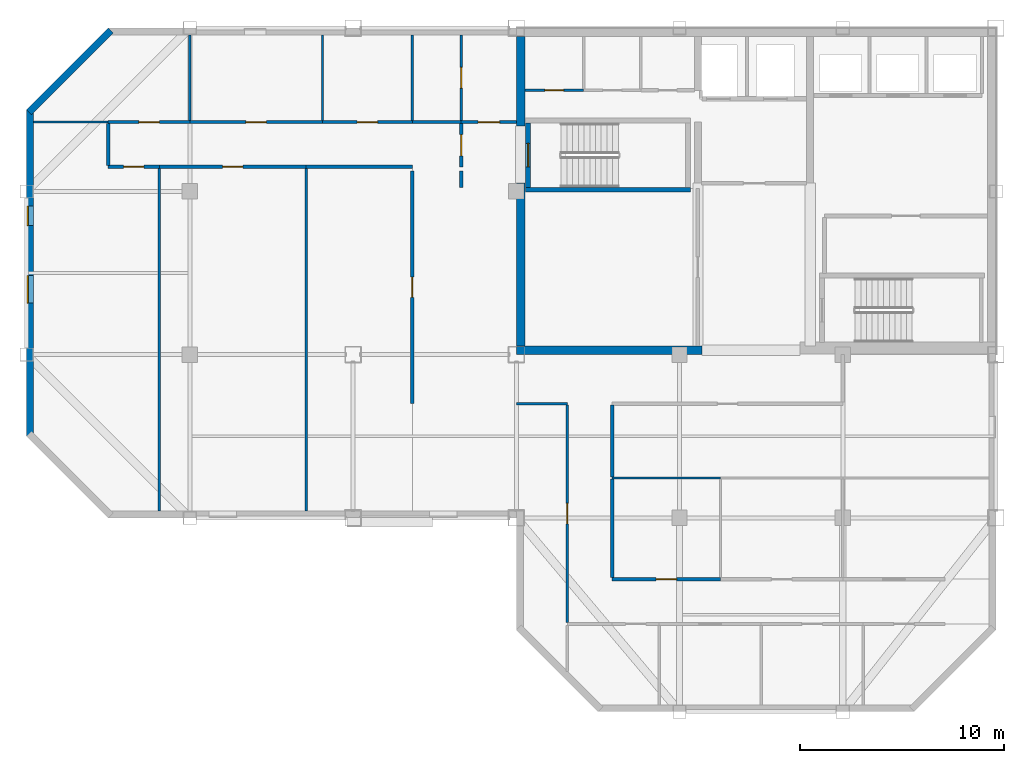
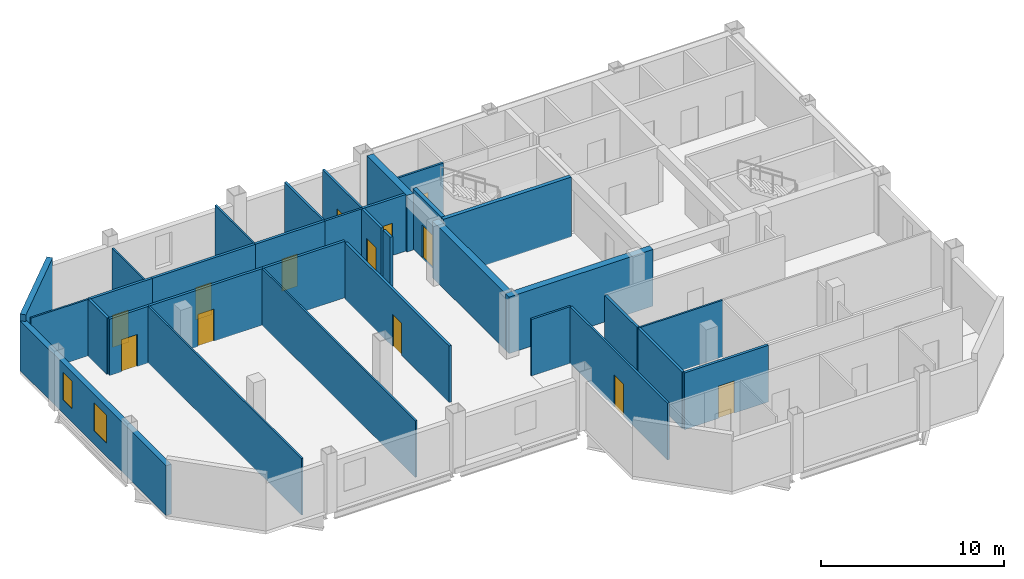
# One storey, part 2 of 7: 33 walls, 13 doors, 2 windows, 15 openings.
"""IFC4 building model written with IfcOpenShell, lengths in metres."""

from ifc_helpers import new_model, si_unit, direction, frame, frame_2d, origin, place, context, subcontext, project, spatial, rectangle, extrude, material, layer, layer_set, type_object, element, fill, save


model = new_model("IFC4")

# Units and contexts
model_context = context("Model", 3, precision=1e-05, world=origin(), true_north=direction((0.0, 1.0)))
body_context = subcontext(model_context, "Body", "Model", "MODEL_VIEW")
ifc_project = project(units=[si_unit("LENGTHUNIT", "METRE"), si_unit("AREAUNIT", "SQUARE_METRE"), si_unit("VOLUMEUNIT", "CUBIC_METRE"), si_unit("PLANEANGLEUNIT", "RADIAN"), si_unit("MASSUNIT", "GRAM", prefix="KILO")], contexts=[model_context])

# Site, building, storey
site_placement = place(None, origin())
site = spatial("IfcSite", under=ifc_project, at=site_placement, CompositionType="ELEMENT")
building_placement = place(site_placement, origin())
building = spatial("IfcBuilding", under=site, at=building_placement, Name="Qianrong Seaharbour Tower", CompositionType="ELEMENT")
storey_placement = place(building_placement, frame((0.0, 0.0, 351.199951171875)))
storey = spatial("IfcBuildingStorey", under=building, at=storey_placement, Name="L85", CompositionType="ELEMENT", Elevation=351.199951171875)

# Walls
ifc_material_1 = material(Name="Concrete C50/60", Category="concrete")
ifc_layer_1 = layer(ifc_material_1, 0.419921875)
ifc_layer_set_1 = layer_set([ifc_layer_1], Name="Concrete C50/60")
wall_type_1 = type_object("IfcWallType", Name="WALL-CORE-420", PredefinedType="SHEAR", material=ifc_layer_set_1)
wall_1_placement = place(storey_placement, frame((40.7099609375, 36.419921875, 0.0), z_axis=(0.0, 0.0, 1.0), x_axis=(0.0, 1.0, 0.0)))
element("IfcWall", 1, at=wall_1_placement, inside=storey, type_object=wall_type_1, Name="L85 West Core Shear Wall South", PredefinedType="SHEAR", context=body_context, shape_type="SweptSolid", body=[
    extrude(rectangle(XDim=7.97998046875, YDim=0.419921875, at=frame_2d((3.989990234375, 0.0))), origin(), (0.0, 0.0, 1.0), 3.78515625),
])
wall_2_placement = place(storey_placement, frame((40.7099609375, 47.199951171875, 0.0), z_axis=(0.0, 0.0, 1.0), x_axis=(0.0, 1.0, 0.0)))
element("IfcWall", 2, at=wall_2_placement, inside=storey, type_object=wall_type_1, Name="L85 West Core Shear Wall North", PredefinedType="SHEAR", context=body_context, shape_type="SweptSolid", body=[
    extrude(rectangle(XDim=4.380126953125, YDim=0.419921875, at=frame_2d((2.18994140625, 0.0))), origin(), (0.0, 0.0, 1.0), 3.78515625),
])
wall_3_placement = place(storey_placement, frame((40.5, 36.2099609375, 0.0), z_axis=(0.0, 0.0, 1.0), x_axis=(1.0, 0.0, 0.0)))
element("IfcWall", 3, at=wall_3_placement, inside=storey, type_object=wall_type_1, Name="L85 South Core Shear Wall S1", PredefinedType="SHEAR", context=body_context, shape_type="SweptSolid", body=[
    extrude(rectangle(XDim=9.10009765625, YDim=0.419921875, at=frame_2d((4.550048828125, 0.0))), origin(), (0.0, 0.0, 1.0), 3.78515625),
])

# Wall, opening, door
ifc_material_2 = material(Name="Fire-rated acoustic gypsum board partition")
ifc_layer_2 = layer(ifc_material_2, 0.1650390625)
ifc_layer_set_2 = layer_set([ifc_layer_2], Name="Fire-rated acoustic gypsum board partition")
wall_type_2 = type_object("IfcWallType", Name="WALL-CORR-PART-165", PredefinedType="PARTITIONING", material=ifc_layer_set_2)
wall_4_placement = place(storey_placement, frame((37.800048828125, 47.39990234375, 0.0), z_axis=(0.0, 0.0, 1.0), x_axis=(1.0, 0.0, 0.0)))
wall_4 = element("IfcWall", 4, at=wall_4_placement, inside=storey, type_object=wall_type_2, Name="L85 Interior Partition Wall 001", PredefinedType="PARTITIONING", context=body_context, shape_type="SweptSolid", body=[
    extrude(rectangle(XDim=2.699951171875, YDim=0.1650390625, at=frame_2d((1.35009765625, 0.0))), origin(), (0.0, 0.0, 1.0), 3.78515625),
])
opening_1_placement = place(wall_4_placement, frame((0.824951171875, 0.0, 0.0)))
opening_1 = element("IfcOpeningElement", 5, at=opening_1_placement, cuts=wall_4, Name="Opening DC-01", PredefinedType="OPENING", context=body_context, shape_type="SweptSolid", body=[
    extrude(rectangle(XDim=1.050048828125, YDim=2.14990234375, at=frame_2d((0.52490234375, 1.074951171875))), frame((0.0, 0.092529296875, 0.0), z_axis=(0.0, -1.0, 0.0), x_axis=(1.0, 0.0, 0.0)), (0.0, 0.0, 1.0), 0.18505859375),
])
ifc_material_3 = material(Name="Acoustic timber and galvanized steel fire door assembly", Category="steel")
door_type_1 = type_object("IfcDoorType", Name="DOOR-CORR-FD60-1050x2150", OperationType="NOTDEFINED", PredefinedType="DOOR", material=ifc_material_3)
door_1_placement = place(opening_1_placement, origin())
door_1 = element("IfcDoor", 6, at=door_1_placement, inside=storey, type_object=door_type_1, Name="L85 Smokeproof Stair Vestibule ST-1 Door", OperationType="SINGLE_SWING_LEFT", OverallHeight=2.14990234375, OverallWidth=1.050048828125, PredefinedType="DOOR", context=body_context, shape_type="SweptSolid", body=[
    extrude(rectangle(XDim=1.050048828125, YDim=2.14990234375, at=frame_2d((0.52490234375, 1.074951171875))), frame((0.0, 0.02490234375, 0.0), z_axis=(0.0, -1.0, 0.0), x_axis=(1.0, 0.0, 0.0)), (0.0, 0.0, 1.0), 0.050048828125),
])
fill(opening_1, door_1)

wall_5_placement = place(storey_placement, frame((37.800048828125, 45.199951171875, 0.0), z_axis=(0.0, 0.0, 1.0), x_axis=(0.0, 1.0, 0.0)))
wall_5 = element("IfcWall", 7, at=wall_5_placement, inside=storey, type_object=wall_type_2, Name="L85 Interior Partition Wall 002", PredefinedType="PARTITIONING", context=body_context, shape_type="SweptSolid", body=[
    extrude(rectangle(XDim=2.12548828125, YDim=0.1650390625, at=frame_2d((1.062744140625, 0.0))), origin(), (0.0, 0.0, 1.0), 3.78515625),
])
opening_2_placement = place(wall_5_placement, frame((0.537841796875, 0.0, 0.0)))
opening_2 = element("IfcOpeningElement", 8, at=opening_2_placement, cuts=wall_5, Name="Opening DC-01", PredefinedType="OPENING", context=body_context, shape_type="SweptSolid", body=[
    extrude(rectangle(XDim=1.050048828125, YDim=2.14990234375, at=frame_2d((0.52490234375, 1.074951171875))), frame((0.0, 0.092529296875, 0.0), z_axis=(0.0, -1.0, 0.0), x_axis=(1.0, 0.0, 0.0)), (0.0, 0.0, 1.0), 0.18505859375),
])
door_2_placement = place(opening_2_placement, origin())
door_2 = element("IfcDoor", 9, at=door_2_placement, inside=storey, type_object=door_type_1, Name="L85 Smokeproof Stair Vestibule ST-1 Door", OperationType="SINGLE_SWING_RIGHT", OverallHeight=2.14990234375, OverallWidth=1.050048828125, PredefinedType="DOOR", context=body_context, shape_type="SweptSolid", body=[
    extrude(rectangle(XDim=1.050048828125, YDim=2.14990234375, at=frame_2d((0.52490234375, 1.074951171875))), frame((0.0, 0.02490234375, 0.0), z_axis=(0.0, -1.0, 0.0), x_axis=(1.0, 0.0, 0.0)), (0.0, 0.0, 1.0), 0.050048828125),
])
fill(opening_2, door_2)

# Wall
wall_6_placement = place(storey_placement, frame((37.800048828125, 44.199951171875, 0.0), z_axis=(0.0, 0.0, 1.0), x_axis=(0.0, 1.0, 0.0)))
element("IfcWall", 10, at=wall_6_placement, inside=storey, type_object=wall_type_2, Name="L85 Interior Partition Wall 003", PredefinedType="PARTITIONING", context=body_context, shape_type="SweptSolid", body=[
    extrude(rectangle(XDim=0.800048828125, YDim=0.1650390625, at=frame_2d((0.39990234375, 0.0))), origin(), (0.0, 0.0, 1.0), 3.78515625),
])

# Wall, opening, door
wall_7_placement = place(storey_placement, frame((20.5, 47.39990234375, 0.0), z_axis=(0.0, 0.0, 1.0), x_axis=(1.0, 0.0, 0.0)))
wall_7 = element("IfcWall", 11, at=wall_7_placement, inside=storey, type_object=wall_type_2, Name="L85 Interior Partition Wall 016", PredefinedType="PARTITIONING", context=body_context, shape_type="SweptSolid", body=[
    extrude(rectangle(XDim=4.0, YDim=0.1650390625, at=frame_2d((2.0, 0.0))), origin(), (0.0, 0.0, 1.0), 3.78515625),
])
opening_3_placement = place(wall_7_placement, frame((1.5, 0.0, 0.0)))
opening_3 = element("IfcOpeningElement", 12, at=opening_3_placement, cuts=wall_7, Name="Opening DO-01", PredefinedType="OPENING", context=body_context, shape_type="SweptSolid", body=[
    extrude(rectangle(XDim=1.0, YDim=2.14990234375, at=frame_2d((0.5, 1.074951171875))), frame((0.0, 0.092529296875, 0.0), z_axis=(0.0, -1.0, 0.0), x_axis=(1.0, 0.0, 0.0)), (0.0, 0.0, 1.0), 0.18505859375),
])
door_type_2 = type_object("IfcDoorType", Name="DOOR-OFFICE-1000x2150", OperationType="NOTDEFINED", PredefinedType="DOOR", material=ifc_material_3)
door_3_placement = place(opening_3_placement, origin())
door_3 = element("IfcDoor", 13, at=door_3_placement, inside=storey, type_object=door_type_2, Name="L85 Vessel Model Showroom 1 Door", OperationType="SINGLE_SWING_LEFT", OverallHeight=2.14990234375, OverallWidth=1.0, PredefinedType="DOOR", context=body_context, shape_type="SweptSolid", body=[
    extrude(rectangle(XDim=1.0, YDim=2.14990234375, at=frame_2d((0.5, 1.074951171875))), frame((0.0, 0.02490234375, 0.0), z_axis=(0.0, -1.0, 0.0), x_axis=(1.0, 0.0, 0.0)), (0.0, 0.0, 1.0), 0.050048828125),
])
fill(opening_3, door_3)

wall_8_placement = place(storey_placement, frame((24.5, 47.39990234375, 0.0), z_axis=(0.0, 0.0, 1.0), x_axis=(1.0, 0.0, 0.0)))
wall_8 = element("IfcWall", 14, at=wall_8_placement, inside=storey, type_object=wall_type_2, Name="L85 Interior Partition Wall 017", PredefinedType="PARTITIONING", context=body_context, shape_type="SweptSolid", body=[
    extrude(rectangle(XDim=6.5, YDim=0.1650390625, at=frame_2d((3.25, 0.0))), origin(), (0.0, 0.0, 1.0), 3.78515625),
])
opening_4_placement = place(wall_8_placement, frame((2.75, 0.0, 0.0)))
opening_4 = element("IfcOpeningElement", 15, at=opening_4_placement, cuts=wall_8, Name="Opening DO-01", PredefinedType="OPENING", context=body_context, shape_type="SweptSolid", body=[
    extrude(rectangle(XDim=1.0, YDim=2.14990234375, at=frame_2d((0.5, 1.074951171875))), frame((0.0, 0.092529296875, 0.0), z_axis=(0.0, -1.0, 0.0), x_axis=(1.0, 0.0, 0.0)), (0.0, 0.0, 1.0), 0.18505859375),
])
door_4_placement = place(opening_4_placement, origin())
door_4 = element("IfcDoor", 16, at=door_4_placement, inside=storey, type_object=door_type_2, Name="L85 Navigation Systems Showroom 2 Door", OperationType="SINGLE_SWING_RIGHT", OverallHeight=2.14990234375, OverallWidth=1.0, PredefinedType="DOOR", context=body_context, shape_type="SweptSolid", body=[
    extrude(rectangle(XDim=1.0, YDim=2.14990234375, at=frame_2d((0.5, 1.074951171875))), frame((0.0, 0.02490234375, 0.0), z_axis=(0.0, -1.0, 0.0), x_axis=(1.0, 0.0, 0.0)), (0.0, 0.0, 1.0), 0.050048828125),
])
fill(opening_4, door_4)

wall_9_placement = place(storey_placement, frame((31.0, 47.39990234375, 0.0), z_axis=(0.0, 0.0, 1.0), x_axis=(1.0, 0.0, 0.0)))
wall_9 = element("IfcWall", 17, at=wall_9_placement, inside=storey, type_object=wall_type_2, Name="L85 Interior Partition Wall 018", PredefinedType="PARTITIONING", context=body_context, shape_type="SweptSolid", body=[
    extrude(rectangle(XDim=4.39990234375, YDim=0.1650390625, at=frame_2d((2.199951171875, 0.0))), origin(), (0.0, 0.0, 1.0), 3.78515625),
])
opening_5_placement = place(wall_9_placement, frame((1.699951171875, 0.0, 0.0)))
opening_5 = element("IfcOpeningElement", 18, at=opening_5_placement, cuts=wall_9, Name="Opening DO-01", PredefinedType="OPENING", context=body_context, shape_type="SweptSolid", body=[
    extrude(rectangle(XDim=1.0, YDim=2.14990234375, at=frame_2d((0.5, 1.074951171875))), frame((0.0, 0.092529296875, 0.0), z_axis=(0.0, -1.0, 0.0), x_axis=(1.0, 0.0, 0.0)), (0.0, 0.0, 1.0), 0.18505859375),
])
door_5_placement = place(opening_5_placement, origin())
door_5 = element("IfcDoor", 19, at=door_5_placement, inside=storey, type_object=door_type_2, Name="L85 Marine Propulsion Showroom 3 Door", OperationType="SINGLE_SWING_LEFT", OverallHeight=2.14990234375, OverallWidth=1.0, PredefinedType="DOOR", context=body_context, shape_type="SweptSolid", body=[
    extrude(rectangle(XDim=1.0, YDim=2.14990234375, at=frame_2d((0.5, 1.074951171875))), frame((0.0, 0.02490234375, 0.0), z_axis=(0.0, -1.0, 0.0), x_axis=(1.0, 0.0, 0.0)), (0.0, 0.0, 1.0), 0.050048828125),
])
fill(opening_5, door_5)

wall_10_placement = place(storey_placement, frame((23.0, 45.199951171875, 0.0), z_axis=(0.0, 0.0, 1.0), x_axis=(-1.0, 0.0, 0.0)))
wall_10 = element("IfcWall", 20, at=wall_10_placement, inside=storey, type_object=wall_type_2, Name="L85 Interior Partition Wall 019", PredefinedType="PARTITIONING", context=body_context, shape_type="SweptSolid", body=[
    extrude(rectangle(XDim=2.5, YDim=0.1650390625, at=frame_2d((1.25, 0.0))), origin(), (0.0, 0.0, 1.0), 3.78515625),
])
opening_6_placement = place(wall_10_placement, frame((0.75, 0.0, 0.0)))
opening_6 = element("IfcOpeningElement", 21, at=opening_6_placement, cuts=wall_10, Name="Opening DO-01", PredefinedType="OPENING", context=body_context, shape_type="SweptSolid", body=[
    extrude(rectangle(XDim=1.0, YDim=2.14990234375, at=frame_2d((0.5, 1.074951171875))), frame((0.0, 0.092529296875, 0.0), z_axis=(0.0, -1.0, 0.0), x_axis=(1.0, 0.0, 0.0)), (0.0, 0.0, 1.0), 0.18505859375),
])
door_6_placement = place(opening_6_placement, origin())
door_6 = element("IfcDoor", 22, at=door_6_placement, inside=storey, type_object=door_type_2, Name="L85 Cargo Systems Showroom 1 Door", OperationType="SINGLE_SWING_RIGHT", OverallHeight=2.14990234375, OverallWidth=1.0, PredefinedType="DOOR", context=body_context, shape_type="SweptSolid", body=[
    extrude(rectangle(XDim=1.0, YDim=2.14990234375, at=frame_2d((0.5, 1.074951171875))), frame((0.0, 0.02490234375, 0.0), z_axis=(0.0, -1.0, 0.0), x_axis=(1.0, 0.0, 0.0)), (0.0, 0.0, 1.0), 0.050048828125),
])
fill(opening_6, door_6)

# Wall
wall_11_placement = place(storey_placement, frame((20.5, 45.2744140625, 0.0), z_axis=(0.0, 0.0, 1.0), x_axis=(0.0, 1.0, 0.0)))
element("IfcWall", 23, at=wall_11_placement, inside=storey, type_object=wall_type_2, Name="L85 Interior Partition Wall 020", PredefinedType="PARTITIONING", context=body_context, shape_type="SweptSolid", body=[
    extrude(rectangle(XDim=2.051025390625, YDim=0.1650390625, at=frame_2d((1.025390625, 0.0))), origin(), (0.0, 0.0, 1.0), 3.78515625),
])

# Wall, opening, door
wall_12_placement = place(storey_placement, frame((30.199951171875, 45.199951171875, 0.0), z_axis=(0.0, 0.0, 1.0), x_axis=(-1.0, 0.0, 0.0)))
wall_12 = element("IfcWall", 24, at=wall_12_placement, inside=storey, type_object=wall_type_2, Name="L85 Interior Partition Wall 021", PredefinedType="PARTITIONING", context=body_context, shape_type="SweptSolid", body=[
    extrude(rectangle(XDim=7.199951171875, YDim=0.1650390625, at=frame_2d((3.60009765625, 0.0))), origin(), (0.0, 0.0, 1.0), 3.78515625),
])
opening_7_placement = place(wall_12_placement, frame((3.10009765625, 0.0, 0.0)))
opening_7 = element("IfcOpeningElement", 25, at=opening_7_placement, cuts=wall_12, Name="Opening DO-01", PredefinedType="OPENING", context=body_context, shape_type="SweptSolid", body=[
    extrude(rectangle(XDim=1.0, YDim=2.14990234375, at=frame_2d((0.5, 1.074951171875))), frame((0.0, 0.092529296875, 0.0), z_axis=(0.0, -1.0, 0.0), x_axis=(1.0, 0.0, 0.0)), (0.0, 0.0, 1.0), 0.18505859375),
])
door_7_placement = place(opening_7_placement, origin())
door_7 = element("IfcDoor", 26, at=door_7_placement, inside=storey, type_object=door_type_2, Name="L85 Fleet Logistics Showroom 2 Door", OperationType="SINGLE_SWING_LEFT", OverallHeight=2.14990234375, OverallWidth=1.0, PredefinedType="DOOR", context=body_context, shape_type="SweptSolid", body=[
    extrude(rectangle(XDim=1.0, YDim=2.14990234375, at=frame_2d((0.5, 1.074951171875))), frame((0.0, 0.02490234375, 0.0), z_axis=(0.0, -1.0, 0.0), x_axis=(1.0, 0.0, 0.0)), (0.0, 0.0, 1.0), 0.050048828125),
])
fill(opening_7, door_7)

# Wall
wall_13_placement = place(storey_placement, frame((35.39990234375, 45.199951171875, 0.0), z_axis=(0.0, 0.0, 1.0), x_axis=(-1.0, 0.0, 0.0)))
element("IfcWall", 27, at=wall_13_placement, inside=storey, type_object=wall_type_2, Name="L85 Interior Partition Wall 022", PredefinedType="PARTITIONING", context=body_context, shape_type="SweptSolid", body=[
    extrude(rectangle(XDim=5.199951171875, YDim=0.1650390625, at=frame_2d((2.60009765625, 0.0))), origin(), (0.0, 0.0, 1.0), 3.78515625),
])

# Wall, opening, door
wall_14_placement = place(storey_placement, frame((35.39990234375, 33.60009765625, 0.0), z_axis=(0.0, 0.0, 1.0), x_axis=(0.0, 1.0, 0.0)))
wall_14 = element("IfcWall", 28, at=wall_14_placement, inside=storey, type_object=wall_type_2, Name="L85 Interior Partition Wall 023", PredefinedType="PARTITIONING", context=body_context, shape_type="SweptSolid", body=[
    extrude(rectangle(XDim=11.39990234375, YDim=0.1650390625, at=frame_2d((5.699951171875, 0.0))), origin(), (0.0, 0.0, 1.0), 3.78515625),
])
opening_8_placement = place(wall_14_placement, frame((5.199951171875, 0.0, 0.0)))
opening_8 = element("IfcOpeningElement", 29, at=opening_8_placement, cuts=wall_14, Name="Opening DO-01", PredefinedType="OPENING", context=body_context, shape_type="SweptSolid", body=[
    extrude(rectangle(XDim=1.0, YDim=2.14990234375, at=frame_2d((0.5, 1.074951171875))), frame((0.0, 0.092529296875, 0.0), z_axis=(0.0, -1.0, 0.0), x_axis=(1.0, 0.0, 0.0)), (0.0, 0.0, 1.0), 0.18505859375),
])
door_8_placement = place(opening_8_placement, origin())
door_8 = element("IfcDoor", 30, at=door_8_placement, inside=storey, type_object=door_type_2, Name="L85 VIP Client Lounge 3 Door", OperationType="SINGLE_SWING_RIGHT", OverallHeight=2.14990234375, OverallWidth=1.0, PredefinedType="DOOR", context=body_context, shape_type="SweptSolid", body=[
    extrude(rectangle(XDim=1.0, YDim=2.14990234375, at=frame_2d((0.5, 1.074951171875))), frame((0.0, 0.02490234375, 0.0), z_axis=(0.0, -1.0, 0.0), x_axis=(1.0, 0.0, 0.0)), (0.0, 0.0, 1.0), 0.050048828125),
])
fill(opening_8, door_8)

# Walls
wall_15_placement = place(storey_placement, frame((45.199951171875, 33.525390625, 0.0), z_axis=(0.0, 0.0, 1.0), x_axis=(0.0, -1.0, 0.0)))
element("IfcWall", 31, at=wall_15_placement, inside=storey, type_object=wall_type_2, Name="L85 Interior Partition Wall 027", PredefinedType="PARTITIONING", context=body_context, shape_type="SweptSolid", body=[
    extrude(rectangle(XDim=3.5283203125, YDim=0.1650390625, at=frame_2d((1.76416015625, 0.0))), origin(), (0.0, 0.0, 1.0), 3.78515625),
])
wall_16_placement = place(storey_placement, frame((45.199951171875, 29.903076171875, 0.0), z_axis=(0.0, 0.0, 1.0), x_axis=(0.0, -1.0, 0.0)))
element("IfcWall", 32, at=wall_16_placement, inside=storey, type_object=wall_type_2, Name="L85 Interior Partition Wall 028", PredefinedType="PARTITIONING", context=body_context, shape_type="SweptSolid", body=[
    extrude(rectangle(XDim=4.82861328125, YDim=0.1650390625, at=frame_2d((2.414306640625, 0.0))), origin(), (0.0, 0.0, 1.0), 3.78515625),
])

# Wall, opening, door
wall_17_placement = place(storey_placement, frame((45.199951171875, 25.0, 0.0), z_axis=(0.0, 0.0, 1.0), x_axis=(1.0, 0.0, 0.0)))
wall_17 = element("IfcWall", 33, at=wall_17_placement, inside=storey, type_object=wall_type_2, Name="L85 Interior Partition Wall 031", PredefinedType="PARTITIONING", context=body_context, shape_type="SweptSolid", body=[
    extrude(rectangle(XDim=5.300048828125, YDim=0.1650390625, at=frame_2d((2.64990234375, 0.0))), origin(), (0.0, 0.0, 1.0), 3.78515625),
])
opening_9_placement = place(wall_17_placement, frame((2.14990234375, 0.0, 0.0)))
opening_9 = element("IfcOpeningElement", 34, at=opening_9_placement, cuts=wall_17, Name="Opening DO-01", PredefinedType="OPENING", context=body_context, shape_type="SweptSolid", body=[
    extrude(rectangle(XDim=1.0, YDim=2.14990234375, at=frame_2d((0.5, 1.074951171875))), frame((0.0, 0.092529296875, 0.0), z_axis=(0.0, -1.0, 0.0), x_axis=(1.0, 0.0, 0.0)), (0.0, 0.0, 1.0), 0.18505859375),
])
door_9_placement = place(opening_9_placement, origin())
door_9 = element("IfcDoor", 35, at=door_9_placement, inside=storey, type_object=door_type_2, Name="L85 Chartering Model Showroom 1 Door", OperationType="SINGLE_SWING_RIGHT", OverallHeight=2.14990234375, OverallWidth=1.0, PredefinedType="DOOR", context=body_context, shape_type="SweptSolid", body=[
    extrude(rectangle(XDim=1.0, YDim=2.14990234375, at=frame_2d((0.5, 1.074951171875))), frame((0.0, 0.02490234375, 0.0), z_axis=(0.0, -1.0, 0.0), x_axis=(1.0, 0.0, 0.0)), (0.0, 0.0, 1.0), 0.050048828125),
])
fill(opening_9, door_9)

# Walls
ifc_material_4 = material(Name="Demountable aluminium-framed acoustic office partition", Category="aluminium")
ifc_layer_3 = layer(ifc_material_4, 0.110107421875)
ifc_layer_set_3 = layer_set([ifc_layer_3], Name="Demountable aluminium-framed acoustic office partition")
wall_type_3 = type_object("IfcWallType", Name="WALL-DEMOUNT-110", PredefinedType="MOVABLE", material=ifc_layer_set_3)
wall_18_placement = place(storey_placement, frame((50.5, 29.949951171875, 0.0), z_axis=(0.0, 0.0, 1.0), x_axis=(-1.0, 0.0, 0.0)))
element("IfcWall", 36, at=wall_18_placement, inside=storey, type_object=wall_type_3, Name="L85 Interior Partition Wall 038", PredefinedType="MOVABLE", context=body_context, shape_type="SweptSolid", body=[
    extrude(rectangle(XDim=5.300048828125, YDim=0.110107421875, at=frame_2d((2.64990234375, 0.0))), origin(), (0.0, 0.0, 1.0), 3.78515625),
])
wall_19_placement = place(storey_placement, frame((24.5, 51.66796875, 0.0), z_axis=(0.0, 0.0, 1.0), x_axis=(0.0, -1.0, 0.0)))
element("IfcWall", 37, at=wall_19_placement, inside=storey, type_object=wall_type_3, Name="L85 Interior Partition Wall 043", PredefinedType="MOVABLE", context=body_context, shape_type="SweptSolid", body=[
    extrude(rectangle(XDim=4.193359375, YDim=0.110107421875, at=frame_2d((2.0966796875, 0.0))), origin(), (0.0, 0.0, 1.0), 3.177001953125),
])
wall_20_placement = place(storey_placement, frame((20.5, 47.39990234375, 0.0), z_axis=(0.0, 0.0, 1.0), x_axis=(-1.0, 0.0, 0.0)))
element("IfcWall", 38, at=wall_20_placement, inside=storey, type_object=wall_type_3, Name="L85 Interior Partition Wall 044", PredefinedType="MOVABLE", context=body_context, shape_type="SweptSolid", body=[
    extrude(rectangle(XDim=3.66796875, YDim=0.110107421875, at=frame_2d((1.833984375, 0.0))), origin(), (0.0, 0.0, 1.0), 3.78515625),
])
wall_21_placement = place(storey_placement, frame((31.0, 51.66796875, 0.0), z_axis=(0.0, 0.0, 1.0), x_axis=(0.0, -1.0, 0.0)))
element("IfcWall", 39, at=wall_21_placement, inside=storey, type_object=wall_type_3, Name="L85 Interior Partition Wall 045", PredefinedType="MOVABLE", context=body_context, shape_type="SweptSolid", body=[
    extrude(rectangle(XDim=4.193359375, YDim=0.110107421875, at=frame_2d((2.0966796875, 0.0))), origin(), (0.0, 0.0, 1.0), 3.78515625),
])
for number, where, z_axis, x_axis, name in (
    (40, (23.0, 45.12548828125, 0.0), (0.0, 0.0, 1.0), (0.0, -1.0, 0.0), "L85 Interior Partition Wall 046"),
    (41, (30.199951171875, 45.12548828125, 0.0), (0.0, 0.0, 1.0), (0.0, -1.0, 0.0), "L85 Interior Partition Wall 047"),
):
    element("IfcWall", number, at=place(storey_placement, frame(where, z_axis=z_axis, x_axis=x_axis)), inside=storey, type_object=wall_type_3, Name=name, PredefinedType="MOVABLE", context=body_context, shape_type="SweptSolid", body=[
        extrude(rectangle(XDim=16.79345703125, YDim=0.110107421875, at=frame_2d((8.396728515625, 0.0))), origin(), (0.0, 0.0, 1.0), 3.78515625),
    ])

# Wall, openings, windows
ifc_material_5 = material(Name="Unitised buff brick on Precast concrete C45/55", Category="masonry")
ifc_layer_4 = layer(ifc_material_5, 0.340087890625)
ifc_layer_set_4 = layer_set([ifc_layer_4], Name="Unitised buff brick on Precast concrete C45/55")
wall_type_4 = type_object("IfcWallType", Name="WALL-EXT-BRICK-BUFF-340", PredefinedType="SOLIDWALL", material=ifc_layer_set_4)
wall_22_placement = place(storey_placement, frame((16.669921875, 32.0, 0.0), z_axis=(0.0, 0.0, 1.0), x_axis=(0.0, 1.0, 0.0)))
wall_22 = element("IfcWall", 42, at=wall_22_placement, inside=storey, type_object=wall_type_4, Name="L85 Exterior Masonry Facade Wall WEST_TIP", PredefinedType="SOLIDWALL", context=body_context, shape_type="SweptSolid", body=[
    extrude(rectangle(XDim=16.0, YDim=0.340087890625, at=frame_2d((8.0, 0.0))), origin(), (0.0, 0.0, 1.0), 3.3349609375),
])
opening_10_placement = place(wall_22_placement, frame((6.52490234375, 0.0, 0.89990234375)))
opening_10 = element("IfcOpeningElement", 43, at=opening_10_placement, cuts=wall_22, Name="Opening WN-02", PredefinedType="OPENING", context=body_context, shape_type="SweptSolid", body=[
    extrude(rectangle(XDim=1.35009765625, YDim=1.85009765625, at=frame_2d((0.675048828125, 0.925048828125))), frame((0.0, 0.18017578125, 0.0), z_axis=(0.0, -1.0, 0.0), x_axis=(1.0, 0.0, 0.0)), (0.0, 0.0, 1.0), 0.360107421875),
])
opening_11_placement = place(wall_22_placement, frame((10.324951171875, 0.0, 0.89990234375)))
opening_11 = element("IfcOpeningElement", 44, at=opening_11_placement, cuts=wall_22, Name="Opening WN-13", PredefinedType="OPENING", context=body_context, shape_type="SweptSolid", body=[
    extrude(rectangle(XDim=0.949951171875, YDim=1.85009765625, at=frame_2d((0.47509765625, 0.925048828125))), frame((0.0, 0.18017578125, 0.0), z_axis=(0.0, -1.0, 0.0), x_axis=(1.0, 0.0, 0.0)), (0.0, 0.0, 1.0), 0.360107421875),
])
ifc_material_6 = material(Name="Insulated low-e double glazing in thermally broken aluminium 6063-T6 frame", Category="aluminium")
window_type_1 = type_object("IfcWindowType", Name="WIN-NARROW-950x1850", PartitioningType="SINGLE_PANEL", PredefinedType="WINDOW", material=ifc_material_6)
window_1_placement = place(opening_11_placement, origin())
window_1 = element("IfcWindow", 45, at=window_1_placement, inside=storey, type_object=window_type_1, Name="L85 Deep-Set Punched Window 03.03", OverallHeight=1.85009765625, OverallWidth=0.949951171875, PartitioningType="SINGLE_PANEL", PredefinedType="WINDOW", context=body_context, shape_type="SweptSolid", body=[
    extrude(rectangle(XDim=0.949951171875, YDim=1.85009765625, at=frame_2d((0.47509765625, 0.925048828125))), frame((0.0, 0.150146484375, 0.0), z_axis=(0.0, -1.0, 0.0), x_axis=(1.0, 0.0, 0.0)), (0.0, 0.0, 1.0), 0.06005859375),
])
fill(opening_11, window_1)
window_type_2 = type_object("IfcWindowType", Name="WIN-PUNCH-1350x1850", PartitioningType="DOUBLE_PANEL_VERTICAL", PredefinedType="WINDOW", material=ifc_material_6)
window_2_placement = place(opening_10_placement, origin())
window_2 = element("IfcWindow", 46, at=window_2_placement, inside=storey, type_object=window_type_2, Name="L85 Deep-Set Punched Window 03.02", OverallHeight=1.85009765625, OverallWidth=1.35009765625, PartitioningType="DOUBLE_PANEL_VERTICAL", PredefinedType="WINDOW", context=body_context, shape_type="SweptSolid", body=[
    extrude(rectangle(XDim=1.35009765625, YDim=1.85009765625, at=frame_2d((0.675048828125, 0.925048828125))), frame((0.0, 0.150146484375, 0.0), z_axis=(0.0, -1.0, 0.0), x_axis=(1.0, 0.0, 0.0)), (0.0, 0.0, 1.0), 0.06005859375),
])
fill(opening_10, window_2)

# Walls
wall_23_placement = place(storey_placement, frame((16.6201171875, 47.8798828125, 0.0), z_axis=(0.0, 0.0, 1.0), x_axis=(0.707106781187, 0.707106781187, 0.0)))
element("IfcWall", 47, at=wall_23_placement, inside=storey, type_object=wall_type_4, Name="L85 Exterior Masonry Facade Wall E04", PredefinedType="SOLIDWALL", context=body_context, shape_type="SweptSolid", body=[
    extrude(rectangle(XDim=5.65673828125, YDim=0.340087890625, at=frame_2d((2.828369140625, 0.0))), origin(), (0.0, 0.0, 1.0), 3.78515625),
])
ifc_layer_5 = layer(ifc_material_1, 0.239990234375)
ifc_layer_set_5 = layer_set([ifc_layer_5], Name="Concrete C50/60")
wall_type_5 = type_object("IfcWallType", Name="WALL-SHAFT-RC240", PredefinedType="SOLIDWALL", material=ifc_layer_set_5)
wall_24_placement = place(storey_placement, frame((49.0400390625, 44.080078125, 0.0), z_axis=(0.0, 0.0, 1.0), x_axis=(-1.0, 0.0, 0.0)))
element("IfcWall", 48, at=wall_24_placement, inside=storey, type_object=wall_type_5, Name="L85 ST-1 Structural Stair Core Wall S", PredefinedType="SOLIDWALL", context=body_context, shape_type="SweptSolid", body=[
    extrude(rectangle(XDim=8.080078125, YDim=0.239990234375, at=frame_2d((4.0400390625, 0.0))), origin(), (0.0, 0.0, 1.0), 4.0),
])

# Wall, opening, door
wall_25_placement = place(storey_placement, frame((41.080078125, 47.35009765625, 0.0), z_axis=(0.0, 0.0, 1.0), x_axis=(0.0, -1.0, 0.0)))
wall_25 = element("IfcWall", 49, at=wall_25_placement, inside=storey, type_object=wall_type_5, Name="L85 ST-1 Structural Stair Core Wall W", PredefinedType="SOLIDWALL", context=body_context, shape_type="SweptSolid", body=[
    extrude(rectangle(XDim=3.150146484375, YDim=0.239990234375, at=frame_2d((1.5751953125, 0.0))), origin(), (0.0, 0.0, 1.0), 4.0),
])
opening_12_placement = place(wall_25_placement, frame((1.0, 0.0, 0.0)))
opening_12 = element("IfcOpeningElement", 50, at=opening_12_placement, cuts=wall_25, Name="Opening SD-01", PredefinedType="OPENING", context=body_context, shape_type="SweptSolid", body=[
    extrude(rectangle(XDim=1.14990234375, YDim=2.199951171875, at=frame_2d((0.574951171875, 1.10009765625))), frame((0.0, 0.1298828125, 0.0), z_axis=(0.0, -1.0, 0.0), x_axis=(1.0, 0.0, 0.0)), (0.0, 0.0, 1.0), 0.260009765625),
])
door_type_3 = type_object("IfcDoorType", Name="DOOR-STAIR-FD60-1150x2200", OperationType="NOTDEFINED", PredefinedType="DOOR", material=ifc_material_3)
door_10_placement = place(opening_12_placement, origin())
door_10 = element("IfcDoor", 51, at=door_10_placement, inside=storey, type_object=door_type_3, Name="L85 ST-1 Protected Stair Door", OperationType="SINGLE_SWING_RIGHT", OverallHeight=2.199951171875, OverallWidth=1.14990234375, PredefinedType="DOOR", context=body_context, shape_type="SweptSolid", body=[
    extrude(rectangle(XDim=1.14990234375, YDim=2.199951171875, at=frame_2d((0.574951171875, 1.10009765625))), frame((0.0, 0.02490234375, 0.0), z_axis=(0.0, -1.0, 0.0), x_axis=(1.0, 0.0, 0.0)), (0.0, 0.0, 1.0), 0.050048828125),
])
fill(opening_12, door_10)

ifc_material_7 = material(Name="Water-resistant cement board sanitary partition")
ifc_layer_6 = layer(ifc_material_7, 0.1298828125)
ifc_layer_set_6 = layer_set([ifc_layer_6], Name="Water-resistant cement board sanitary partition")
wall_type_6 = type_object("IfcWallType", Name="WALL-WET-PART-130", PredefinedType="PARTITIONING", material=ifc_layer_set_6)
wall_26_placement = place(storey_placement, frame((37.800048828125, 47.474609375, 0.0), z_axis=(0.0, 0.0, 1.0), x_axis=(0.0, 1.0, 0.0)))
wall_26 = element("IfcWall", 52, at=wall_26_placement, inside=storey, type_object=wall_type_6, Name="L85 Interior Partition Wall 004", PredefinedType="PARTITIONING", context=body_context, shape_type="SweptSolid", body=[
    extrude(rectangle(XDim=4.193359375, YDim=0.1298828125, at=frame_2d((2.0966796875, 0.0))), origin(), (0.0, 0.0, 1.0), 3.78515625),
])
opening_13_placement = place(wall_26_placement, frame((1.5869140625, 0.0, 0.0)))
opening_13 = element("IfcOpeningElement", 53, at=opening_13_placement, cuts=wall_26, Name="Opening DAW-01", PredefinedType="OPENING", context=body_context, shape_type="SweptSolid", body=[
    extrude(rectangle(XDim=1.02001953125, YDim=2.14990234375, at=frame_2d((0.510009765625, 1.074951171875))), frame((0.0, 0.074951171875, 0.0), z_axis=(0.0, -1.0, 0.0), x_axis=(1.0, 0.0, 0.0)), (0.0, 0.0, 1.0), 0.14990234375),
])
door_type_4 = type_object("IfcDoorType", Name="DOOR-AWC-SLIDE-1020x2150", OperationType="SLIDING_TO_LEFT", PredefinedType="DOOR", material=ifc_material_3)
door_11_placement = place(opening_13_placement, origin())
door_11 = element("IfcDoor", 54, at=door_11_placement, inside=storey, type_object=door_type_4, Name="L85 Accessible Restroom WC Door", OperationType="SLIDING_TO_LEFT", OverallHeight=2.14990234375, OverallWidth=1.02001953125, PredefinedType="DOOR", context=body_context, shape_type="SweptSolid", body=[
    extrude(rectangle(XDim=1.02001953125, YDim=2.14990234375, at=frame_2d((0.510009765625, 1.074951171875))), frame((0.0, 0.02490234375, 0.0), z_axis=(0.0, -1.0, 0.0), x_axis=(1.0, 0.0, 0.0)), (0.0, 0.0, 1.0), 0.050048828125),
])
fill(opening_13, door_11)

# Walls
wall_27_placement = place(storey_placement, frame((37.800048828125, 47.39990234375, 0.0), z_axis=(0.0, 0.0, 1.0), x_axis=(-1.0, 0.0, 0.0)))
element("IfcWall", 55, at=wall_27_placement, inside=storey, type_object=wall_type_6, Name="L85 Interior Partition Wall 005", PredefinedType="PARTITIONING", context=body_context, shape_type="SweptSolid", body=[
    extrude(rectangle(XDim=2.400146484375, YDim=0.1298828125, at=frame_2d((1.2001953125, 0.0))), origin(), (0.0, 0.0, 1.0), 3.78515625),
])
wall_28_placement = place(storey_placement, frame((35.39990234375, 47.474609375, 0.0), z_axis=(0.0, 0.0, 1.0), x_axis=(0.0, 1.0, 0.0)))
element("IfcWall", 56, at=wall_28_placement, inside=storey, type_object=wall_type_6, Name="L85 Interior Partition Wall 006", PredefinedType="PARTITIONING", context=body_context, shape_type="SweptSolid", body=[
    extrude(rectangle(XDim=4.193359375, YDim=0.1298828125, at=frame_2d((2.0966796875, 0.0))), origin(), (0.0, 0.0, 1.0), 3.78515625),
])

# Wall, opening, door
wall_29_placement = place(storey_placement, frame((40.919921875, 48.949951171875, 0.0), z_axis=(0.0, 0.0, 1.0), x_axis=(1.0, 0.0, 0.0)))
wall_29 = element("IfcWall", 57, at=wall_29_placement, inside=storey, type_object=wall_type_6, Name="L85 Interior Partition Wall 007", PredefinedType="PARTITIONING", context=body_context, shape_type="SweptSolid", body=[
    extrude(rectangle(XDim=2.880126953125, YDim=0.1298828125, at=frame_2d((1.43994140625, 0.0))), origin(), (0.0, 0.0, 1.0), 3.78515625),
])
opening_14_placement = place(wall_29_placement, frame((0.97998046875, 0.0, 0.0)))
opening_14 = element("IfcOpeningElement", 58, at=opening_14_placement, cuts=wall_29, Name="Opening DW-01", PredefinedType="OPENING", context=body_context, shape_type="SweptSolid", body=[
    extrude(rectangle(XDim=0.919921875, YDim=2.14990234375, at=frame_2d((0.4599609375, 1.074951171875))), frame((0.0, 0.074951171875, 0.0), z_axis=(0.0, -1.0, 0.0), x_axis=(1.0, 0.0, 0.0)), (0.0, 0.0, 1.0), 0.14990234375),
])
door_type_5 = type_object("IfcDoorType", Name="DOOR-WC-920x2150", OperationType="NOTDEFINED", PredefinedType="DOOR", material=ifc_material_3)
door_12_placement = place(opening_14_placement, origin())
door_12 = element("IfcDoor", 59, at=door_12_placement, inside=storey, type_object=door_type_5, Name="L85 Male Restroom WC Door", OperationType="SINGLE_SWING_RIGHT", OverallHeight=2.14990234375, OverallWidth=0.919921875, PredefinedType="DOOR", context=body_context, shape_type="SweptSolid", body=[
    extrude(rectangle(XDim=0.919921875, YDim=2.14990234375, at=frame_2d((0.4599609375, 1.074951171875))), frame((0.0, 0.02490234375, 0.0), z_axis=(0.0, -1.0, 0.0), x_axis=(1.0, 0.0, 0.0)), (0.0, 0.0, 1.0), 0.050048828125),
])
fill(opening_14, door_12)

# Wall
wall_30_placement = place(storey_placement, frame((43.0, 33.60009765625, 0.0), z_axis=(0.0, 0.0, 1.0), x_axis=(-1.0, 0.0, 0.0)))
element("IfcWall", 60, at=wall_30_placement, inside=storey, type_object=wall_type_6, Name="L85 Interior Partition Wall 026", PredefinedType="PARTITIONING", context=body_context, shape_type="SweptSolid", body=[
    extrude(rectangle(XDim=2.5, YDim=0.1298828125, at=frame_2d((1.25, 0.0))), origin(), (0.0, 0.0, 1.0), 3.78515625),
])

# Wall, opening, door
wall_31_placement = place(storey_placement, frame((43.0, 22.87451171875, 0.0), z_axis=(0.0, 0.0, 1.0), x_axis=(0.0, 1.0, 0.0)))
wall_31 = element("IfcWall", 61, at=wall_31_placement, inside=storey, type_object=wall_type_6, Name="L85 Interior Partition Wall 029", PredefinedType="PARTITIONING", context=body_context, shape_type="SweptSolid", body=[
    extrude(rectangle(XDim=10.66845703125, YDim=0.1298828125, at=frame_2d((5.334228515625, 0.0))), origin(), (0.0, 0.0, 1.0), 3.78515625),
])
opening_15_placement = place(wall_31_placement, frame((4.834228515625, 0.0, 0.0)))
opening_15 = element("IfcOpeningElement", 62, at=opening_15_placement, cuts=wall_31, Name="Opening DO-01", PredefinedType="OPENING", context=body_context, shape_type="SweptSolid", body=[
    extrude(rectangle(XDim=1.0, YDim=2.14990234375, at=frame_2d((0.5, 1.074951171875))), frame((0.0, 0.074951171875, 0.0), z_axis=(0.0, -1.0, 0.0), x_axis=(1.0, 0.0, 0.0)), (0.0, 0.0, 1.0), 0.14990234375),
])
door_13_placement = place(opening_15_placement, origin())
door_13 = element("IfcDoor", 63, at=door_13_placement, inside=storey, type_object=door_type_2, Name="L85 Wet Pantry 1 Door", OperationType="SINGLE_SWING_LEFT", OverallHeight=2.14990234375, OverallWidth=1.0, PredefinedType="DOOR", context=body_context, shape_type="SweptSolid", body=[
    extrude(rectangle(XDim=1.0, YDim=2.14990234375, at=frame_2d((0.5, 1.074951171875))), frame((0.0, 0.02490234375, 0.0), z_axis=(0.0, -1.0, 0.0), x_axis=(1.0, 0.0, 0.0)), (0.0, 0.0, 1.0), 0.050048828125),
])
fill(opening_15, door_13)

save(model, "model.ifc")
